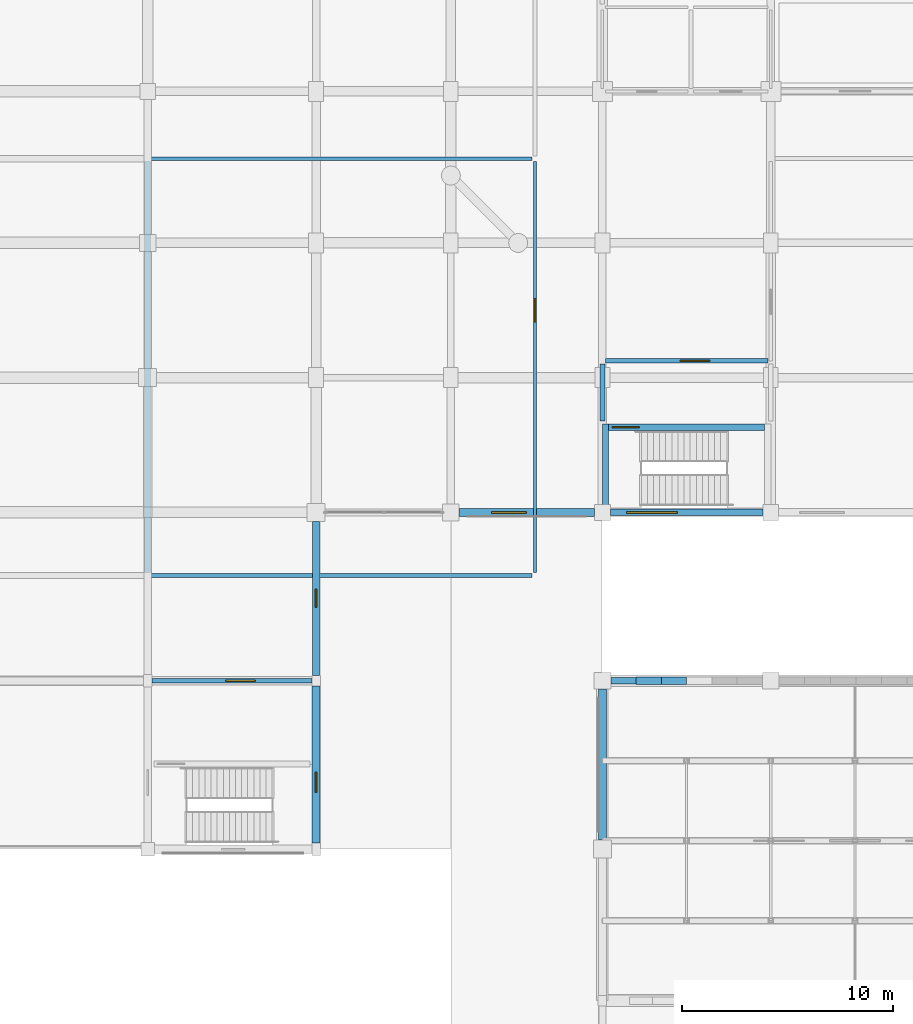
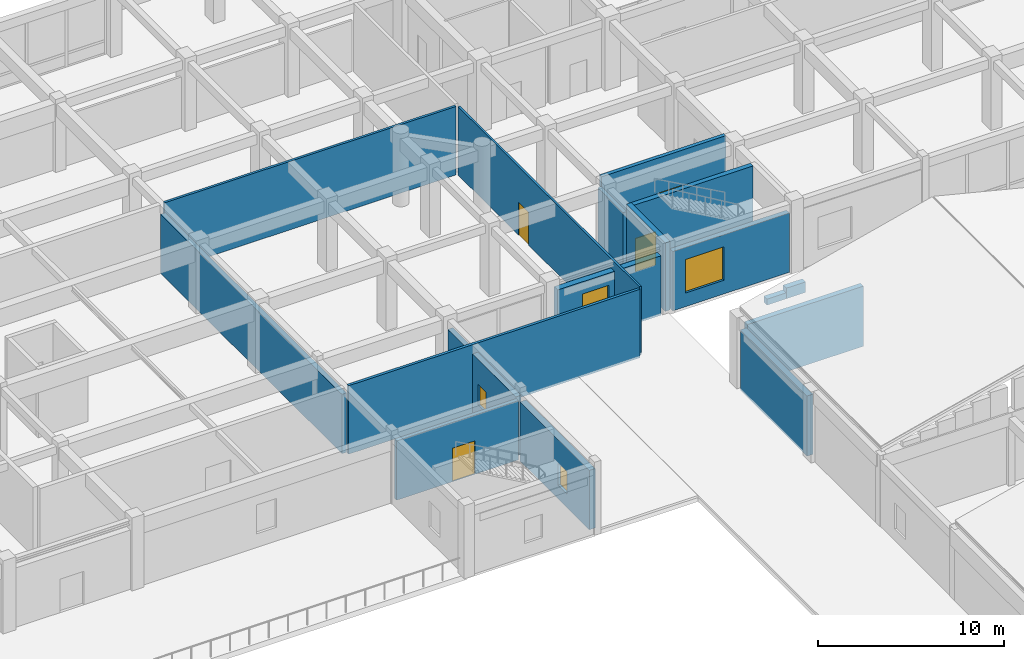
# One storey, part 48 of 61: 17 walls, 4 doors, 4 windows, 8 openings.
"""IFC4 building model written with IfcOpenShell, lengths in metres."""

from ifc_helpers import new_model, si_unit, direction, frame, frame_2d, origin, place, context, subcontext, project, spatial, rectangle, extrude, material, layer, layer_set, type_object, element, fill, save


model = new_model("IFC4")

# Units and contexts
model_context = context("Model", 3, precision=1e-05, world=origin(), true_north=direction((0.0, 1.0)))
body_context = subcontext(model_context, "Body", "Model", "MODEL_VIEW")
ifc_project = project(units=[si_unit("LENGTHUNIT", "METRE"), si_unit("AREAUNIT", "SQUARE_METRE"), si_unit("VOLUMEUNIT", "CUBIC_METRE"), si_unit("PLANEANGLEUNIT", "RADIAN"), si_unit("MASSUNIT", "GRAM", prefix="KILO")], contexts=[model_context])

# Site, building, storey
site_placement = place(None, origin())
site = spatial("IfcSite", under=ifc_project, at=site_placement, CompositionType="ELEMENT")
building_placement = place(site_placement, origin())
building = spatial("IfcBuilding", under=site, at=building_placement, Name="Vellmiral Cinema and Media Centre", CompositionType="ELEMENT")
storey_placement = place(building_placement, frame((0.0, 0.0, 10.800048828125)))
storey = spatial("IfcBuildingStorey", under=building, at=storey_placement, Name="L02", CompositionType="ELEMENT", Elevation=10.800048828125)

# Walls
ifc_material_1 = material(Name="Calcium-Silicate Masonry Blockwork", Category="masonry")
ifc_layer_1 = layer(ifc_material_1, 0.10009765625, Name="Calcium-Silicate Masonry Blockwork", Category="masonry")
ifc_material_2 = material(Name="Mineral Wool Acoustic Insulation", Category="insulation")
ifc_layer_2 = layer(ifc_material_2, 0.090087890625, Name="Mineral Wool Acoustic Insulation", Category="insulation")
ifc_layer_3 = layer(ifc_material_1, 0.10009765625, Name="Calcium-Silicate Masonry Blockwork", Category="masonry")
ifc_layer_set_1 = layer_set([ifc_layer_1, ifc_layer_2, ifc_layer_3], Name="Calcium-Silicate Masonry Blockwork")
wall_type_1 = type_object("IfcWallType", Name="WL-AC-290", PredefinedType="SOLIDWALL", material=ifc_layer_set_1)
wall_1_placement = place(storey_placement, frame((102.39990234375, 56.340087890625, 0.0), z_axis=(0.0, 0.0, 1.0), x_axis=(0.0, 1.0, 0.0)))
element("IfcWall", 1, at=wall_1_placement, inside=storey, type_object=wall_type_1, Name="Recording Studio 2 Wall E", PredefinedType="SOLIDWALL", context=body_context, shape_type="SweptSolid", body=[
    extrude(rectangle(XDim=19.52001953125, YDim=0.2900390625, at=frame_2d((9.760009765625, 0.0))), origin(), (0.0, 0.0, 1.0), 3.89501953125),
])
ifc_material_3 = material(Name="Concrete C40/50", Category="concrete")
ifc_layer_4 = layer(ifc_material_3, 0.300048828125, Name="Concrete C40/50")
ifc_layer_set_2 = layer_set([ifc_layer_4], Name="Concrete C40/50")
wall_type_2 = type_object("IfcWallType", Name="WL-CORE-300", PredefinedType="SHEAR", material=ifc_layer_set_2)
wall_2_placement = place(storey_placement, frame((124.14990234375, 59.199951171875, 0.0), z_axis=(0.0, 0.0, 1.0), x_axis=(0.0, 1.0, 0.0)))
element("IfcWall", 2, at=wall_2_placement, inside=storey, type_object=wall_type_2, Name="Stair Core Wall ST-P6 L02-W", PredefinedType="SHEAR", context=body_context, shape_type="SweptSolid", body=[
    extrude(rectangle(XDim=4.199951171875, YDim=0.300048828125, at=frame_2d((2.10009765625, 0.0))), origin(), (0.0, 0.0, 1.0), 4.5),
])

# Wall, opening, door
wall_3_placement = place(storey_placement, frame((124.300048828125, 63.25, 0.0), z_axis=(0.0, 0.0, 1.0), x_axis=(1.0, 0.0, 0.0)))
wall_3 = element("IfcWall", 3, at=wall_3_placement, inside=storey, type_object=wall_type_2, Name="Stair Core Wall ST-P6 L02-N", PredefinedType="SHEAR", context=body_context, shape_type="SweptSolid", body=[
    extrude(rectangle(XDim=7.39990234375, YDim=0.300048828125, at=frame_2d((3.699951171875, 0.0))), origin(), (0.0, 0.0, 1.0), 4.5),
])
opening_1_placement = place(wall_3_placement, frame((0.159912109375, 0.0, 0.0)))
opening_1 = element("IfcOpeningElement", 4, at=opening_1_placement, cuts=wall_3, Name="Opening D-FD30A", PredefinedType="OPENING", context=body_context, shape_type="SweptSolid", body=[
    extrude(rectangle(XDim=1.300048828125, YDim=2.179931640625, at=frame_2d((0.64990234375, 1.08984375))), frame((0.0, 0.162109375, 0.0), z_axis=(0.0, -1.0, 0.0), x_axis=(1.0, 0.0, 0.0)), (0.0, 0.0, 1.0), 0.323974609375),
])
ifc_material_4 = material(Name="Steel Stair Fire Door", Category="steel")
door_type_1 = type_object("IfcDoorType", Name="DR-FD30-1300x2180", OperationType="NOTDEFINED", PredefinedType="DOOR", material=ifc_material_4)
door_1_placement = place(opening_1_placement, frame((1.300048828125, 0.0, 0.0), z_axis=(0.0, 0.0, 1.0), x_axis=(-1.0, 0.0, 0.0)))
door_1 = element("IfcDoor", 5, at=door_1_placement, inside=storey, type_object=door_type_1, Name="Protected Stair Door ST-P6 L02", OperationType="SINGLE_SWING_RIGHT", OverallHeight=2.179931640625, OverallWidth=1.300048828125, PredefinedType="DOOR", context=body_context, shape_type="SweptSolid", body=[
    extrude(rectangle(XDim=1.300048828125, YDim=2.179931640625, at=frame_2d((0.64990234375, 1.08984375))), frame((0.0, 0.02490234375, 0.0), z_axis=(0.0, -1.0, 0.0), x_axis=(1.0, 0.0, 0.0)), (0.0, 0.0, 1.0), 0.050048828125),
])
fill(opening_1, door_1)

# Wall, opening, window
ifc_material_5 = material(Name="Polychrome Glazed Ceramic Cladding", Category="masonry")
ifc_layer_5 = layer(ifc_material_5, 0.320068359375, Name="Polychrome Glazed Ceramic Cladding")
ifc_layer_set_3 = layer_set([ifc_layer_5], Name="Polychrome Glazed Ceramic Cladding")
wall_type_3 = type_object("IfcWallType", Name="WL-EXT-BRICK-320", PredefinedType="SOLIDWALL", material=ifc_layer_set_3)
wall_4_placement = place(storey_placement, frame((110.39990234375, 51.449951171875, 0.0), z_axis=(0.0, 0.0, 1.0), x_axis=(0.0, 1.0, 0.0)))
wall_4 = element("IfcWall", 6, at=wall_4_placement, inside=storey, type_object=wall_type_3, Name="Exterior Facade Wall L02-018", PredefinedType="SOLIDWALL", context=body_context, shape_type="SweptSolid", body=[
    extrude(rectangle(XDim=7.324951171875, YDim=0.320068359375, at=frame_2d((3.66259765625, 0.0))), origin(), (0.0, 0.0, 1.0), 3.89990234375),
])
opening_2_placement = place(wall_4_placement, frame((3.237548828125, 0.0, 0.89990234375)))
opening_2 = element("IfcOpeningElement", 7, at=opening_2_placement, cuts=wall_4, Name="Opening WN-13", PredefinedType="OPENING", context=body_context, shape_type="SweptSolid", body=[
    extrude(rectangle(XDim=0.85009765625, YDim=1.35009765625, at=frame_2d((0.425048828125, 0.675048828125))), frame((0.0, 0.171875, 0.0), z_axis=(0.0, -1.0, 0.0), x_axis=(1.0, 0.0, 0.0)), (0.0, 0.0, 1.0), 0.343994140625),
])
ifc_material_6 = material(Name="Thermally Broken Aluminium Triple Glazing", Category="aluminium")
window_type_1 = type_object("IfcWindowType", Name="WN-0850x1350", PartitioningType="SINGLE_PANEL", PredefinedType="WINDOW", material=ifc_material_6)
window_1_placement = place(opening_2_placement, origin())
window_1 = element("IfcWindow", 8, at=window_1_placement, inside=storey, type_object=window_type_1, Name="Window L02-018", OverallHeight=1.35009765625, OverallWidth=0.85009765625, PartitioningType="SINGLE_PANEL", PredefinedType="WINDOW", context=body_context, shape_type="SweptSolid", body=[
    extrude(rectangle(XDim=0.85009765625, YDim=1.35009765625, at=frame_2d((0.425048828125, 0.675048828125))), frame((0.0, 0.030029296875, 0.0), z_axis=(0.0, -1.0, 0.0), x_axis=(1.0, 0.0, 0.0)), (0.0, 0.0, 1.0), 0.06005859375),
])
fill(opening_2, window_1)

wall_5_placement = place(storey_placement, frame((124.375, 59.199951171875, 0.0), z_axis=(0.0, 0.0, 1.0), x_axis=(1.0, 0.0, 0.0)))
wall_5 = element("IfcWall", 9, at=wall_5_placement, inside=storey, type_object=wall_type_3, Name="Exterior Facade Wall L02-021", PredefinedType="SOLIDWALL", context=body_context, shape_type="SweptSolid", body=[
    extrude(rectangle(XDim=7.25, YDim=0.320068359375, at=frame_2d((3.625, 0.0))), origin(), (0.0, 0.0, 1.0), 3.89501953125),
])
opening_3_placement = place(wall_5_placement, frame((0.77490234375, 0.0, 0.89990234375)))
opening_3 = element("IfcOpeningElement", 10, at=opening_3_placement, cuts=wall_5, Name="Opening WN-01", PredefinedType="OPENING", context=body_context, shape_type="SweptSolid", body=[
    extrude(rectangle(XDim=2.39990234375, YDim=2.199951171875, at=frame_2d((1.199951171875, 1.10009765625))), frame((0.0, 0.171875, 0.0), z_axis=(0.0, -1.0, 0.0), x_axis=(1.0, 0.0, 0.0)), (0.0, 0.0, 1.0), 0.343994140625),
])
ifc_material_7 = material(Name="Thermally Broken Aluminium Triple Glazing", Category="aluminium")
window_type_2 = type_object("IfcWindowType", Name="WN-2400x2200", PartitioningType="DOUBLE_PANEL_VERTICAL", PredefinedType="WINDOW", material=ifc_material_7)
window_2_placement = place(opening_3_placement, origin())
window_2 = element("IfcWindow", 11, at=window_2_placement, inside=storey, type_object=window_type_2, Name="Window L02-021", OverallHeight=2.199951171875, OverallWidth=2.39990234375, PartitioningType="DOUBLE_PANEL_VERTICAL", PredefinedType="WINDOW", context=body_context, shape_type="SweptSolid", body=[
    extrude(rectangle(XDim=2.39990234375, YDim=2.199951171875, at=frame_2d((1.199951171875, 1.10009765625))), frame((0.0, 0.030029296875, 0.0), z_axis=(0.0, -1.0, 0.0), x_axis=(1.0, 0.0, 0.0)), (0.0, 0.0, 1.0), 0.06005859375),
])
fill(opening_3, window_2)

# Walls
wall_6_placement = place(storey_placement, frame((131.60009765625, 51.199951171875, 0.0), z_axis=(0.0, 0.0, 1.0), x_axis=(-1.0, 0.0, 0.0)))
element("IfcWall", 12, at=wall_6_placement, inside=storey, type_object=wall_type_3, Name="Exterior Facade Wall L02-027", PredefinedType="SOLIDWALL", context=body_context, shape_type="SweptSolid", body=[
    extrude(rectangle(XDim=7.2001953125, YDim=0.320068359375, at=frame_2d((3.60009765625, 0.0))), origin(), (0.0, 0.0, 1.0), 3.949951171875),
])
ifc_material_8 = material(Name="Vosges Red Sandstone Masonry", Category="masonry")
ifc_layer_6 = layer(ifc_material_8, 0.340087890625, Name="Vosges Red Sandstone Masonry")
ifc_layer_set_4 = layer_set([ifc_layer_6], Name="Vosges Red Sandstone Masonry")
wall_type_4 = type_object("IfcWallType", Name="WL-EXT-SAND-340", PredefinedType="SOLIDWALL", material=ifc_layer_set_4)
wall_7_placement = place(storey_placement, frame((125.60009765625, 51.199951171875, 4.800048828125), z_axis=(0.0, 0.0, 1.0), x_axis=(1.0, 0.0, 0.0)))
element("IfcWall", 13, at=wall_7_placement, inside=storey, type_object=wall_type_4, Name="Cinema Screen 6 Gable End Wall N-1", PredefinedType="SOLIDWALL", context=body_context, shape_type="SweptSolid", body=[
    extrude(rectangle(XDim=1.199951171875, YDim=0.340087890625, at=frame_2d((0.60009765625, 0.0))), origin(), (0.0, 0.0, 1.0), 0.398681640625),
])
wall_8_placement = place(storey_placement, frame((126.800048828125, 51.199951171875, 4.800048828125), z_axis=(0.0, 0.0, 1.0), x_axis=(1.0, 0.0, 0.0)))
element("IfcWall", 14, at=wall_8_placement, inside=storey, type_object=wall_type_4, Name="Cinema Screen 6 Gable End Wall N-2", PredefinedType="SOLIDWALL", context=body_context, shape_type="SweptSolid", body=[
    extrude(rectangle(XDim=1.199951171875, YDim=0.340087890625, at=frame_2d((0.60009765625, 0.0))), origin(), (0.0, 0.0, 1.0), 0.697998046875),
])

# Wall, opening, window
ifc_material_9 = material(Name="Vosges Red Sandstone Masonry", Category="masonry")
ifc_layer_7 = layer(ifc_material_9, 0.3798828125, Name="Vosges Red Sandstone Masonry")
ifc_layer_set_5 = layer_set([ifc_layer_7], Name="Vosges Red Sandstone Masonry")
wall_type_5 = type_object("IfcWallType", Name="WL-EXT-SAND-380", PredefinedType="SOLIDWALL", material=ifc_layer_set_5)
wall_9_placement = place(storey_placement, frame((110.39990234375, 43.5, 0.0), z_axis=(0.0, 0.0, 1.0), x_axis=(0.0, 1.0, 0.0)))
wall_9 = element("IfcWall", 15, at=wall_9_placement, inside=storey, type_object=wall_type_5, Name="Exterior Facade Wall L02-017", PredefinedType="SOLIDWALL", context=body_context, shape_type="SweptSolid", body=[
    extrude(rectangle(XDim=7.449951171875, YDim=0.3798828125, at=frame_2d((3.72509765625, 0.0))), origin(), (0.0, 0.0, 1.0), 3.89501953125),
])
opening_4_placement = place(wall_9_placement, frame((2.39990234375, 0.0, 0.89990234375)))
opening_4 = element("IfcOpeningElement", 16, at=opening_4_placement, cuts=wall_9, Name="Opening WN-12", PredefinedType="OPENING", context=body_context, shape_type="SweptSolid", body=[
    extrude(rectangle(XDim=0.949951171875, YDim=1.449951171875, at=frame_2d((0.47509765625, 0.72509765625))), frame((0.0, 0.201904296875, 0.0), z_axis=(0.0, -1.0, 0.0), x_axis=(1.0, 0.0, 0.0)), (0.0, 0.0, 1.0), 0.40380859375),
])
ifc_material_10 = material(Name="Thermally Broken Aluminium Triple Glazing", Category="aluminium")
window_type_3 = type_object("IfcWindowType", Name="WN-0950x1450", PartitioningType="SINGLE_PANEL", PredefinedType="WINDOW", material=ifc_material_10)
window_3_placement = place(opening_4_placement, origin())
window_3 = element("IfcWindow", 17, at=window_3_placement, inside=storey, type_object=window_type_3, Name="Window L02-017", OverallHeight=1.449951171875, OverallWidth=0.949951171875, PartitioningType="SINGLE_PANEL", PredefinedType="WINDOW", context=body_context, shape_type="SweptSolid", body=[
    extrude(rectangle(XDim=0.949951171875, YDim=1.449951171875, at=frame_2d((0.47509765625, 0.72509765625))), frame((0.0, 0.030029296875, 0.0), z_axis=(0.0, -1.0, 0.0), x_axis=(1.0, 0.0, 0.0)), (0.0, 0.0, 1.0), 0.06005859375),
])
fill(opening_4, window_3)

wall_10_placement = place(storey_placement, frame((117.199951171875, 59.199951171875, 0.0), z_axis=(0.0, 0.0, 1.0), x_axis=(1.0, 0.0, 0.0)))
wall_10 = element("IfcWall", 18, at=wall_10_placement, inside=storey, type_object=wall_type_5, Name="Exterior Facade Wall L02-020", PredefinedType="SOLIDWALL", context=body_context, shape_type="SweptSolid", body=[
    extrude(rectangle(XDim=6.425048828125, YDim=0.3798828125, at=frame_2d((3.21240234375, 0.0))), origin(), (0.0, 0.0, 1.0), 3.89990234375),
])
opening_5_placement = place(wall_10_placement, frame((1.53759765625, 0.0, 0.89990234375)))
opening_5 = element("IfcOpeningElement", 19, at=opening_5_placement, cuts=wall_10, Name="Opening WN-15", PredefinedType="OPENING", context=body_context, shape_type="SweptSolid", body=[
    extrude(rectangle(XDim=1.64990234375, YDim=2.199951171875, at=frame_2d((0.824951171875, 1.10009765625))), frame((0.0, 0.201904296875, 0.0), z_axis=(0.0, -1.0, 0.0), x_axis=(1.0, 0.0, 0.0)), (0.0, 0.0, 1.0), 0.40380859375),
])
ifc_material_11 = material(Name="Thermally Broken Aluminium Triple Glazing", Category="aluminium")
window_type_4 = type_object("IfcWindowType", Name="WN-1650x2200", PartitioningType="TRIPLE_PANEL_HORIZONTAL", PredefinedType="WINDOW", material=ifc_material_11)
window_4_placement = place(opening_5_placement, origin())
window_4 = element("IfcWindow", 20, at=window_4_placement, inside=storey, type_object=window_type_4, Name="Window L02-020", OverallHeight=2.199951171875, OverallWidth=1.64990234375, PartitioningType="TRIPLE_PANEL_HORIZONTAL", PredefinedType="WINDOW", context=body_context, shape_type="SweptSolid", body=[
    extrude(rectangle(XDim=1.64990234375, YDim=2.199951171875, at=frame_2d((0.824951171875, 1.10009765625))), frame((0.0, 0.030029296875, 0.0), z_axis=(0.0, -1.0, 0.0), x_axis=(1.0, 0.0, 0.0)), (0.0, 0.0, 1.0), 0.06005859375),
])
fill(opening_5, window_4)

# Wall
wall_11_placement = place(storey_placement, frame((124.0, 50.800048828125, 0.0), z_axis=(0.0, 0.0, 1.0), x_axis=(0.0, -1.0, 0.0)))
element("IfcWall", 21, at=wall_11_placement, inside=storey, type_object=wall_type_5, Name="Exterior Facade Wall L02-028", PredefinedType="SOLIDWALL", context=body_context, shape_type="SweptSolid", body=[
    extrude(rectangle(XDim=7.175048828125, YDim=0.3798828125, at=frame_2d((3.58740234375, 0.0))), origin(), (0.0, 0.0, 1.0), 3.949951171875),
])

# Wall, opening, door
ifc_material_12 = material(Name="Concrete C40/50", Category="concrete")
ifc_layer_8 = layer(ifc_material_12, 0.22998046875, Name="Concrete C40/50")
ifc_layer_set_6 = layer_set([ifc_layer_8], Name="Concrete C40/50")
wall_type_6 = type_object("IfcWallType", Name="WL-FFL-230", PredefinedType="SOLIDWALL", material=ifc_layer_set_6)
wall_12_placement = place(storey_placement, frame((102.60498046875, 51.199951171875, 0.0), z_axis=(0.0, 0.0, 1.0), x_axis=(1.0, 0.0, 0.0)))
wall_12 = element("IfcWall", 22, at=wall_12_placement, inside=storey, type_object=wall_type_6, Name="Firefighting Stair Lobby ST-P4 Wall N", PredefinedType="SOLIDWALL", context=body_context, shape_type="SweptSolid", body=[
    extrude(rectangle(XDim=7.590087890625, YDim=0.22998046875, at=frame_2d((3.794921875, 0.0))), origin(), (0.0, 0.0, 1.0), 3.89501953125),
])
opening_6_placement = place(wall_12_placement, frame((3.4951171875, 0.0, 0.0)))
opening_6 = element("IfcOpeningElement", 23, at=opening_6_placement, cuts=wall_12, Name="Opening D-FD60B", PredefinedType="OPENING", context=body_context, shape_type="SweptSolid", body=[
    extrude(rectangle(XDim=1.39990234375, YDim=2.199951171875, at=frame_2d((0.699951171875, 1.10009765625))), frame((0.0, 0.126953125, 0.0), z_axis=(0.0, -1.0, 0.0), x_axis=(1.0, 0.0, 0.0)), (0.0, 0.0, 1.0), 0.25390625),
])
ifc_material_13 = material(Name="Steel Fire Door", Category="steel")
door_type_2 = type_object("IfcDoorType", Name="DR-FD60-1400x2200", OperationType="NOTDEFINED", PredefinedType="DOOR", material=ifc_material_13)
door_2_placement = place(opening_6_placement, frame((1.39990234375, 0.0, 0.0), z_axis=(0.0, 0.0, 1.0), x_axis=(-1.0, 0.0, 0.0)))
door_2 = element("IfcDoor", 24, at=door_2_placement, inside=storey, type_object=door_type_2, Name="Firefighting Stair Lobby ST-P4 Door", OperationType="SINGLE_SWING_LEFT", OverallHeight=2.199951171875, OverallWidth=1.39990234375, PredefinedType="DOOR", context=body_context, shape_type="SweptSolid", body=[
    extrude(rectangle(XDim=1.39990234375, YDim=2.199951171875, at=frame_2d((0.699951171875, 1.10009765625))), frame((0.0, 0.02490234375, 0.0), z_axis=(0.0, -1.0, 0.0), x_axis=(1.0, 0.0, 0.0)), (0.0, 0.0, 1.0), 0.050048828125),
])
fill(opening_6, door_2)

wall_13_placement = place(storey_placement, frame((124.139892578125, 66.39990234375, 0.0), z_axis=(0.0, 0.0, 1.0), x_axis=(1.0, 0.0, 0.0)))
wall_13 = element("IfcWall", 25, at=wall_13_placement, inside=storey, type_object=wall_type_6, Name="Firefighting Stair Lobby ST-P6 Wall N", PredefinedType="SOLIDWALL", context=body_context, shape_type="SweptSolid", body=[
    extrude(rectangle(XDim=7.72021484375, YDim=0.22998046875, at=frame_2d((3.860107421875, 0.0))), origin(), (0.0, 0.0, 1.0), 4.5),
])
opening_7_placement = place(wall_13_placement, frame((3.56005859375, 0.0, 0.0)))
opening_7 = element("IfcOpeningElement", 26, at=opening_7_placement, cuts=wall_13, Name="Opening D-FD60B", PredefinedType="OPENING", context=body_context, shape_type="SweptSolid", body=[
    extrude(rectangle(XDim=1.39990234375, YDim=2.199951171875, at=frame_2d((0.699951171875, 1.10009765625))), frame((0.0, 0.126953125, 0.0), z_axis=(0.0, -1.0, 0.0), x_axis=(1.0, 0.0, 0.0)), (0.0, 0.0, 1.0), 0.25390625),
])
door_3_placement = place(opening_7_placement, frame((1.39990234375, 0.0, 0.0), z_axis=(0.0, 0.0, 1.0), x_axis=(-1.0, 0.0, 0.0)))
door_3 = element("IfcDoor", 27, at=door_3_placement, inside=storey, type_object=door_type_2, Name="Firefighting Stair Lobby ST-P6 Door", OperationType="SINGLE_SWING_LEFT", OverallHeight=2.199951171875, OverallWidth=1.39990234375, PredefinedType="DOOR", context=body_context, shape_type="SweptSolid", body=[
    extrude(rectangle(XDim=1.39990234375, YDim=2.199951171875, at=frame_2d((0.699951171875, 1.10009765625))), frame((0.0, 0.02490234375, 0.0), z_axis=(0.0, -1.0, 0.0), x_axis=(1.0, 0.0, 0.0)), (0.0, 0.0, 1.0), 0.050048828125),
])
fill(opening_7, door_3)

# Wall
wall_14_placement = place(storey_placement, frame((124.0, 63.5400390625, 0.0), z_axis=(0.0, 0.0, 1.0), x_axis=(0.0, 1.0, 0.0)))
element("IfcWall", 28, at=wall_14_placement, inside=storey, type_object=wall_type_6, Name="Firefighting Stair Lobby ST-P6 Wall W", PredefinedType="SOLIDWALL", context=body_context, shape_type="SweptSolid", body=[
    extrude(rectangle(XDim=2.719970703125, YDim=0.22998046875, at=frame_2d((1.35986328125, 0.0))), origin(), (0.0, 0.0, 1.0), 3.89501953125),
])

# Wall, opening, door
ifc_material_14 = material(Name="Gypsum Plasterboard")
ifc_layer_9 = layer(ifc_material_14, 0.02490234375, Name="Gypsum Plasterboard", Category="gypsum")
ifc_material_15 = material(Name="Mineral Wool Acoustic Insulation", Category="insulation")
ifc_layer_10 = layer(ifc_material_15, 0.080078125, Name="Mineral Wool Acoustic Insulation", Category="insulation")
ifc_layer_11 = layer(ifc_material_14, 0.02490234375, Name="Gypsum Plasterboard", Category="gypsum")
ifc_layer_set_7 = layer_set([ifc_layer_9, ifc_layer_10, ifc_layer_11], Name="Gypsum Plasterboard")
wall_type_7 = type_object("IfcWallType", Name="WL-PART-130", PredefinedType="PARTITIONING", material=ifc_layer_set_7)
wall_15_placement = place(storey_placement, frame((120.800048828125, 56.340087890625, 0.0), z_axis=(0.0, 0.0, 1.0), x_axis=(0.0, 1.0, 0.0)))
wall_15 = element("IfcWall", 29, at=wall_15_placement, inside=storey, type_object=wall_type_7, Name="Sound Control and Vocal Booth Suite Wall E", PredefinedType="PARTITIONING", context=body_context, shape_type="SweptSolid", body=[
    extrude(rectangle(XDim=19.52001953125, YDim=0.1298828125, at=frame_2d((9.760009765625, 0.0))), origin(), (0.0, 0.0, 1.0), 4.5),
])
opening_8_placement = place(wall_15_placement, frame((11.909912109375, 0.0, 0.0)))
opening_8 = element("IfcOpeningElement", 30, at=opening_8_placement, cuts=wall_15, Name="Opening D-I06", PredefinedType="OPENING", context=body_context, shape_type="SweptSolid", body=[
    extrude(rectangle(XDim=1.10009765625, YDim=2.14990234375, at=frame_2d((0.550048828125, 1.074951171875))), frame((0.0, 0.076904296875, 0.0), z_axis=(0.0, -1.0, 0.0), x_axis=(1.0, 0.0, 0.0)), (0.0, 0.0, 1.0), 0.15380859375),
])
ifc_material_16 = material(Name="Laminated Timber Door", Category="wood")
door_type_3 = type_object("IfcDoorType", Name="DR-INT-1100x2150", OperationType="NOTDEFINED", PredefinedType="DOOR", material=ifc_material_16)
door_4_placement = place(opening_8_placement, frame((1.10009765625, 0.0, 0.0), z_axis=(0.0, 0.0, 1.0), x_axis=(-1.0, 0.0, 0.0)))
door_4 = element("IfcDoor", 31, at=door_4_placement, inside=storey, type_object=door_type_3, Name="Sound Control and Vocal Booth Suite Door", OperationType="SINGLE_SWING_LEFT", OverallHeight=2.14990234375, OverallWidth=1.10009765625, PredefinedType="DOOR", context=body_context, shape_type="SweptSolid", body=[
    extrude(rectangle(XDim=1.10009765625, YDim=2.14990234375, at=frame_2d((0.550048828125, 1.074951171875))), frame((0.0, 0.02490234375, 0.0), z_axis=(0.0, -1.0, 0.0), x_axis=(1.0, 0.0, 0.0)), (0.0, 0.0, 1.0), 0.050048828125),
])
fill(opening_8, door_4)

# Walls
ifc_material_17 = material(Name="Gypsum Plasterboard")
ifc_layer_12 = layer(ifc_material_17, 0.02490234375, Name="Gypsum Plasterboard", Category="gypsum")
ifc_material_18 = material(Name="Mineral Wool Acoustic Insulation", Category="insulation")
ifc_layer_13 = layer(ifc_material_18, 0.10009765625, Name="Mineral Wool Acoustic Insulation", Category="insulation")
ifc_layer_14 = layer(ifc_material_17, 0.02490234375, Name="Gypsum Plasterboard", Category="gypsum")
ifc_layer_set_8 = layer_set([ifc_layer_12, ifc_layer_13, ifc_layer_14], Name="Gypsum Plasterboard")
wall_type_8 = type_object("IfcWallType", Name="WL-PART-150", PredefinedType="PARTITIONING", material=ifc_layer_set_8)
wall_16_placement = place(storey_placement, frame((102.5400390625, 76.0, 0.0), z_axis=(0.0, 0.0, 1.0), x_axis=(1.0, 0.0, 0.0)))
element("IfcWall", 32, at=wall_16_placement, inside=storey, type_object=wall_type_8, Name="Sound Control and Vocal Booth Suite Wall N", PredefinedType="PARTITIONING", context=body_context, shape_type="SweptSolid", body=[
    extrude(rectangle(XDim=18.119873046875, YDim=0.14990234375, at=frame_2d((9.06005859375, 0.0))), origin(), (0.0, 0.0, 1.0), 4.5),
])
ifc_material_19 = material(Name="Gypsum Plasterboard")
ifc_layer_15 = layer(ifc_material_19, 0.02490234375, Name="Gypsum Plasterboard", Category="gypsum")
ifc_material_20 = material(Name="Mineral Wool Acoustic Insulation", Category="insulation")
ifc_layer_16 = layer(ifc_material_20, 0.1201171875, Name="Mineral Wool Acoustic Insulation", Category="insulation")
ifc_layer_17 = layer(ifc_material_19, 0.02490234375, Name="Gypsum Plasterboard", Category="gypsum")
ifc_layer_set_9 = layer_set([ifc_layer_15, ifc_layer_16, ifc_layer_17], Name="Gypsum Plasterboard")
wall_type_9 = type_object("IfcWallType", Name="WL-PART-170", PredefinedType="PARTITIONING", material=ifc_layer_set_9)
wall_17_placement = place(storey_placement, frame((102.5400390625, 56.199951171875, 0.0), z_axis=(0.0, 0.0, 1.0), x_axis=(1.0, 0.0, 0.0)))
element("IfcWall", 33, at=wall_17_placement, inside=storey, type_object=wall_type_9, Name="Sound Control and Vocal Booth Suite Wall S", PredefinedType="PARTITIONING", context=body_context, shape_type="SweptSolid", body=[
    extrude(rectangle(XDim=18.119873046875, YDim=0.169921875, at=frame_2d((9.06005859375, 0.0))), origin(), (0.0, 0.0, 1.0), 4.5),
])

save(model, "model.ifc")
